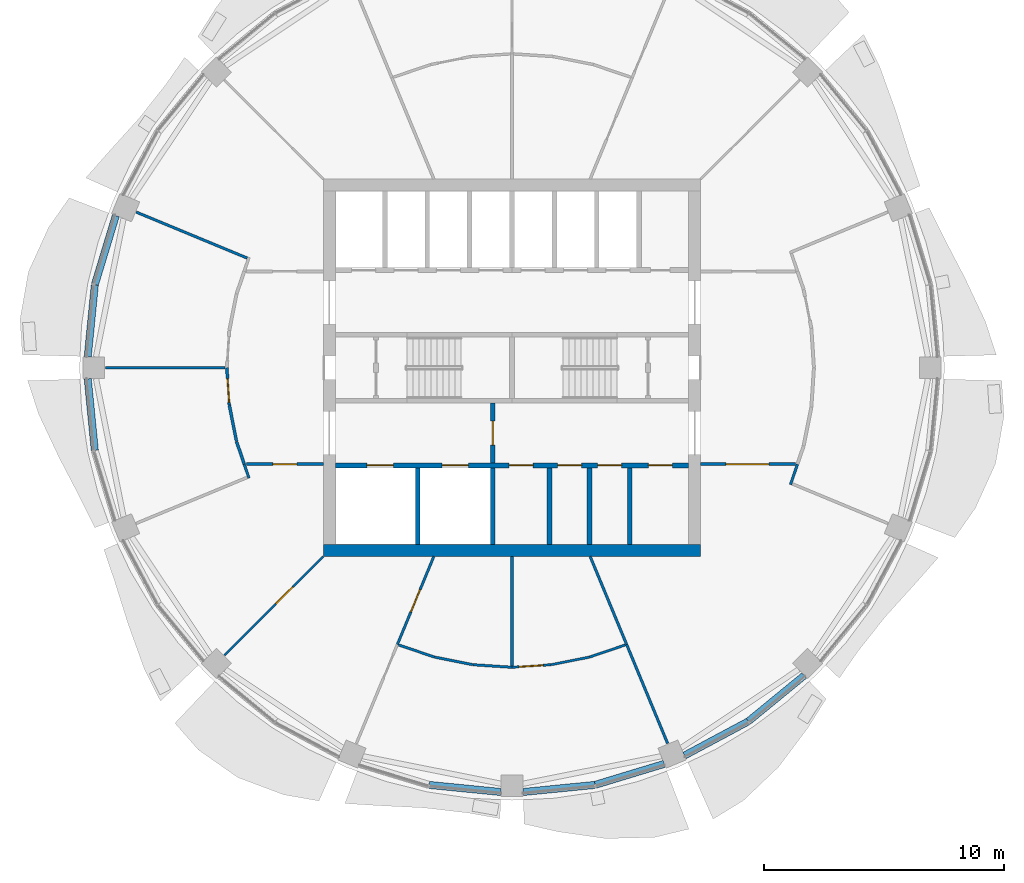
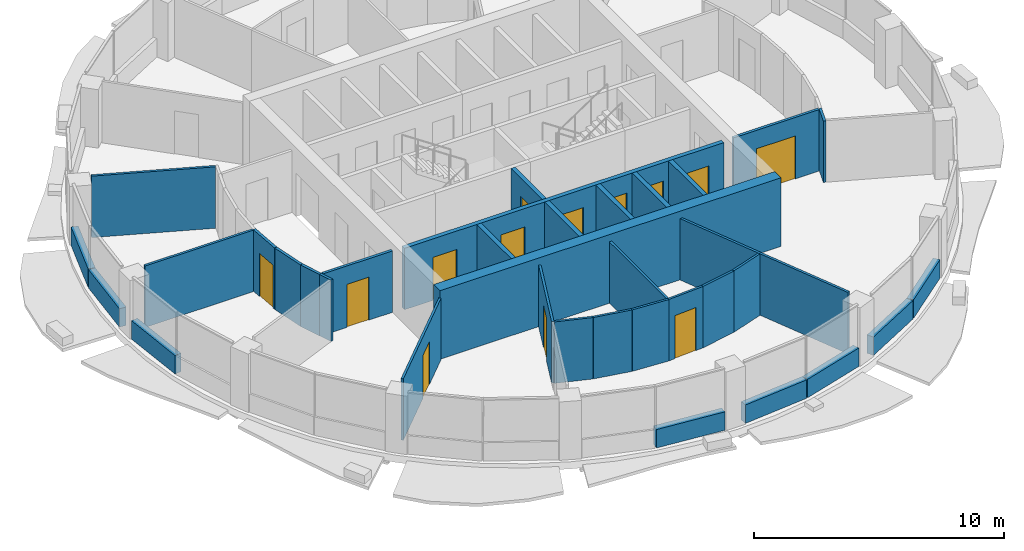
# One storey, part 8 of 15: 36 walls, 13 doors, 13 openings.
"""IFC4 building model written with IfcOpenShell, lengths in metres."""

from ifc_helpers import new_model, si_unit, direction, frame, frame_2d, origin, place, context, subcontext, project, spatial, rectangle, extrude, material, layer, layer_set, type_object, element, fill, save


model = new_model("IFC4")

# Units and contexts
model_context = context("Model", 3, precision=1e-05, world=origin(), true_north=direction((0.0, 1.0)))
body_context = subcontext(model_context, "Body", "Model", "MODEL_VIEW")
ifc_project = project(units=[si_unit("LENGTHUNIT", "METRE"), si_unit("AREAUNIT", "SQUARE_METRE"), si_unit("VOLUMEUNIT", "CUBIC_METRE"), si_unit("PLANEANGLEUNIT", "RADIAN"), si_unit("MASSUNIT", "GRAM", prefix="KILO")], contexts=[model_context])

# Site, building, storey
site_placement = place(None, origin())
site = spatial("IfcSite", under=ifc_project, at=site_placement, CompositionType="ELEMENT")
building_placement = place(site_placement, origin())
building = spatial("IfcBuilding", under=site, at=building_placement, Name="Polderwave Tower", CompositionType="ELEMENT")
storey_placement = place(building_placement, frame((0.0, 0.0, 191.0)))
storey = spatial("IfcBuildingStorey", under=building, at=storey_placement, Name="L51", CompositionType="ELEMENT", Elevation=191.0)

# Walls
ifc_material_1 = material(Name="Concrete C60/75", Category="concrete")
ifc_layer_1 = layer(ifc_material_1, 0.5)
ifc_layer_set_1 = layer_set([ifc_layer_1], Name="CORE WALL 500 C60/75")
wall_type_1 = type_object("IfcWallType", Name="CORE WALL 500 C60/75", PredefinedType="SHEAR", material=ifc_layer_set_1)
wall_1_placement = place(storey_placement, frame((-7.8740234375, -7.6240234375, 0.0), z_axis=(0.0, 0.0, 1.0), x_axis=(1.0, 0.0, 0.0)))
element("IfcWall", 1, at=wall_1_placement, inside=storey, type_object=wall_type_1, Name="ST-CORE-L51-S", PredefinedType="SHEAR", context=body_context, shape_type="SweptSolid", body=[
    extrude(rectangle(XDim=15.748046875, YDim=0.5, at=frame_2d((7.8740234375, 0.0))), origin(), (0.0, 0.0, 1.0), 3.35009765625),
])
ifc_material_2 = material(Name="Concrete C50/60 (board-marked)", Category="concrete")
ifc_layer_2 = layer(ifc_material_2, 0.300048828125)
ifc_layer_set_2 = layer_set([ifc_layer_2], Name="Concrete spandrel upstand C50/60")
wall_type_2 = type_object("IfcWallType", Name="Concrete spandrel upstand C50/60", PredefinedType="SOLIDWALL", material=ifc_layer_set_2)
wall_2_placement = place(storey_placement, frame((-16.533447265625, 6.3466796875, 0.0), z_axis=(0.0, 0.0, 1.0), x_axis=(-0.290490921835, -0.95687774785, 0.0)))
element("IfcWall", 2, at=wall_2_placement, inside=storey, type_object=wall_type_2, Name="Spandrel L51 8a", PredefinedType="SOLIDWALL", context=body_context, shape_type="SweptSolid", body=[
    extrude(rectangle(XDim=2.998779296875, YDim=0.300048828125, at=frame_2d((1.49951171875, 0.0))), origin(), (0.0, 0.0, 1.0), 0.89990234375),
])
for number, where, z_axis, x_axis, name in (
    (3, (-17.410400390625, 3.447998046875, 0.0), (0.0, 0.0, 1.0), (-0.098109030901, -0.995175671957, 0.0), "Spandrel L51 8b"),
    (4, (-17.70458984375, -0.4638671875, 0.0), (0.0, 0.0, 1.0), (0.098109030901, -0.995175671957, 0.0), "Spandrel L51 9a"),
    (5, (-3.447998046875, -17.410400390625, 0.0), (0.0, 0.0, 1.0), (0.995175671957, -0.098109030901, 0.0), "Spandrel L51 12b"),
    (6, (0.4638671875, -17.70458984375, 0.0), (0.0, 0.0, 1.0), (0.995175671957, 0.098109030901, 0.0), "Spandrel L51 13a"),
):
    element("IfcWall", number, at=place(storey_placement, frame(where, z_axis=z_axis, x_axis=x_axis)), inside=storey, type_object=wall_type_2, Name=name, PredefinedType="SOLIDWALL", context=body_context, shape_type="SweptSolid", body=[
        extrude(rectangle(XDim=2.99853515625, YDim=0.300048828125, at=frame_2d((1.499267578125, 0.0))), origin(), (0.0, 0.0, 1.0), 0.89990234375),
    ])
wall_3_placement = place(storey_placement, frame((3.477294921875, -17.404541015625, 0.0), z_axis=(0.0, 0.0, 1.0), x_axis=(0.95687774785, 0.290490921835, 0.0)))
element("IfcWall", 7, at=wall_3_placement, inside=storey, type_object=wall_type_2, Name="Spandrel L51 13b", PredefinedType="SOLIDWALL", context=body_context, shape_type="SweptSolid", body=[
    extrude(rectangle(XDim=2.998779296875, YDim=0.300048828125, at=frame_2d((1.49951171875, 0.0))), origin(), (0.0, 0.0, 1.0), 0.89990234375),
])
wall_4_placement = place(storey_placement, frame((7.2041015625, -16.178955078125, 0.0), z_axis=(0.0, 0.0, 1.0), x_axis=(0.881827169278, 0.471572734074, 0.0)))
element("IfcWall", 8, at=wall_4_placement, inside=storey, type_object=wall_type_2, Name="Spandrel L51 14a", PredefinedType="SOLIDWALL", context=body_context, shape_type="SweptSolid", body=[
    extrude(rectangle(XDim=2.998046875, YDim=0.300048828125, at=frame_2d((1.4990234375, 0.0))), origin(), (0.0, 0.0, 1.0), 0.89990234375),
])
wall_5_placement = place(storey_placement, frame((9.87255859375, -14.74853515625, 0.0), z_axis=(0.0, 0.0, 1.0), x_axis=(0.773162410012, 0.634208079217, 0.0)))
element("IfcWall", 9, at=wall_5_placement, inside=storey, type_object=wall_type_2, Name="Spandrel L51 14b", PredefinedType="SOLIDWALL", context=body_context, shape_type="SweptSolid", body=[
    extrude(rectangle(XDim=2.999267578125, YDim=0.300048828125, at=frame_2d((1.49951171875, 0.0))), origin(), (0.0, 0.0, 1.0), 0.89990234375),
])

# Wall, opening, door
ifc_material_3 = material(Name="Gypsum board partition")
ifc_layer_3 = layer(ifc_material_3, 0.199951171875)
ifc_layer_set_3 = layer_set([ifc_layer_3], Name="Core room partition 200")
wall_type_3 = type_object("IfcWallType", Name="Core room partition 200", PredefinedType="PARTITIONING", material=ifc_layer_set_3)
wall_6_placement = place(storey_placement, frame((-0.800048828125, -3.97412109375, 0.0), z_axis=(0.0, 0.0, 1.0), x_axis=(0.0, 1.0, 0.0)))
wall_6 = element("IfcWall", 10, at=wall_6_placement, inside=storey, type_object=wall_type_3, Name="L51 fire-fighting lobby wall", PredefinedType="PARTITIONING", context=body_context, shape_type="SweptSolid", body=[
    extrude(rectangle(XDim=2.4990234375, YDim=0.199951171875, at=frame_2d((1.24951171875, 0.0))), origin(), (0.0, 0.0, 1.0), 3.0),
])
opening_1_placement = place(wall_6_placement, frame((0.74951171875, 0.0, 0.0)))
opening_1 = element("IfcOpeningElement", 11, at=opening_1_placement, cuts=wall_6, Name="Opening L51-D14", PredefinedType="OPENING", context=body_context, shape_type="SweptSolid", body=[
    extrude(rectangle(XDim=1.0, YDim=2.10009765625, at=frame_2d((0.5, 1.050048828125))), frame((0.0, 0.10986328125, 0.0), z_axis=(0.0, -1.0, 0.0), x_axis=(1.0, 0.0, 0.0)), (0.0, 0.0, 1.0), 0.219970703125),
])
ifc_material_4 = material(Name="Steel fire door", Category="steel")
door_type_1 = type_object("IfcDoorType", Name="Lobby fire door 1000", OperationType="NOTDEFINED", PredefinedType="DOOR", material=ifc_material_4)
door_1_placement = place(opening_1_placement, frame((1.0, 0.0, 0.0), z_axis=(0.0, 0.0, 1.0), x_axis=(-1.0, 0.0, 0.0)))
door_1 = element("IfcDoor", 12, at=door_1_placement, inside=storey, type_object=door_type_1, Name="Fire-fighting lobby door", OperationType="SINGLE_SWING_LEFT", OverallHeight=2.10009765625, OverallWidth=1.0, PredefinedType="DOOR", context=body_context, shape_type="SweptSolid", body=[
    extrude(rectangle(XDim=1.0, YDim=2.10009765625, at=frame_2d((0.5, 1.050048828125))), frame((0.0, 0.02490234375, 0.0), z_axis=(0.0, -1.0, 0.0), x_axis=(1.0, 0.0, 0.0)), (0.0, 0.0, 1.0), 0.050048828125),
])
fill(opening_1, door_1)

# Walls
for number, where, z_axis, x_axis, name in (
    (13, (1.5634765625, -7.3740234375, 0.0), (0.0, 0.0, 1.0), (0.0, 1.0, 0.0), "L51 room partition S1"),
    (14, (3.23876953125, -7.3740234375, 0.0), (0.0, 0.0, 1.0), (0.0, 1.0, 0.0), "L51 room partition S2"),
    (15, (4.913818359375, -7.3740234375, 0.0), (0.0, 0.0, 1.0), (0.0, 1.0, 0.0), "L51 room partition S3"),
):
    element("IfcWall", number, at=place(storey_placement, frame(where, z_axis=z_axis, x_axis=x_axis)), inside=storey, type_object=wall_type_3, Name=name, PredefinedType="PARTITIONING", context=body_context, shape_type="SweptSolid", body=[
        extrude(rectangle(XDim=3.199951171875, YDim=0.199951171875, at=frame_2d((1.60009765625, 0.0))), origin(), (0.0, 0.0, 1.0), 3.0),
    ])

# Wall, openings, doors
ifc_material_5 = material(Name="Concrete C50/60", Category="concrete")
ifc_layer_4 = layer(ifc_material_5, 0.199951171875)
ifc_layer_set_4 = layer_set([ifc_layer_4], Name="Core web wall 200")
wall_type_4 = type_object("IfcWallType", Name="Core web wall 200", PredefinedType="SHEAR", material=ifc_layer_set_4)
wall_7_placement = place(storey_placement, frame((-7.3740234375, -4.073974609375, 0.0), z_axis=(0.0, 0.0, 1.0), x_axis=(1.0, 0.0, 0.0)))
wall_7 = element("IfcWall", 16, at=wall_7_placement, inside=storey, type_object=wall_type_4, Name="L51 south front wall", PredefinedType="SHEAR", context=body_context, shape_type="SweptSolid", body=[
    extrude(rectangle(XDim=14.748046875, YDim=0.199951171875, at=frame_2d((7.3740234375, 0.0))), origin(), (0.0, 0.0, 1.0), 3.0),
])
opening_2_placement = place(wall_7_placement, frame((1.318603515625, 0.0, 0.0)))
opening_2 = element("IfcOpeningElement", 17, at=opening_2_placement, cuts=wall_7, Name="Opening L51-D01", PredefinedType="OPENING", context=body_context, shape_type="SweptSolid", body=[
    extrude(rectangle(XDim=1.10009765625, YDim=2.10009765625, at=frame_2d((0.550048828125, 1.050048828125))), frame((0.0, 0.10986328125, 0.0), z_axis=(0.0, -1.0, 0.0), x_axis=(1.0, 0.0, 0.0)), (0.0, 0.0, 1.0), 0.219970703125),
])
opening_3_placement = place(wall_7_placement, frame((4.45556640625, 0.0, 0.0)))
opening_3 = element("IfcOpeningElement", 18, at=opening_3_placement, cuts=wall_7, Name="Opening L51-D02", PredefinedType="OPENING", context=body_context, shape_type="SweptSolid", body=[
    extrude(rectangle(XDim=1.10009765625, YDim=2.10009765625, at=frame_2d((0.550048828125, 1.050048828125))), frame((0.0, 0.10986328125, 0.0), z_axis=(0.0, -1.0, 0.0), x_axis=(1.0, 0.0, 0.0)), (0.0, 0.0, 1.0), 0.219970703125),
])
opening_4_placement = place(wall_7_placement, frame((7.255859375, 0.0, 0.0)))
opening_4 = element("IfcOpeningElement", 19, at=opening_4_placement, cuts=wall_7, Name="Opening L51-D15", PredefinedType="OPENING", context=body_context, shape_type="SweptSolid", body=[
    extrude(rectangle(XDim=1.0, YDim=2.10009765625, at=frame_2d((0.5, 1.050048828125))), frame((0.0, 0.10986328125, 0.0), z_axis=(0.0, -1.0, 0.0), x_axis=(1.0, 0.0, 0.0)), (0.0, 0.0, 1.0), 0.219970703125),
])
opening_5_placement = place(wall_7_placement, frame((9.275146484375, 0.0, 0.0)))
opening_5 = element("IfcOpeningElement", 20, at=opening_5_placement, cuts=wall_7, Name="Opening L51-D16", PredefinedType="OPENING", context=body_context, shape_type="SweptSolid", body=[
    extrude(rectangle(XDim=1.0, YDim=2.10009765625, at=frame_2d((0.5, 1.050048828125))), frame((0.0, 0.10986328125, 0.0), z_axis=(0.0, -1.0, 0.0), x_axis=(1.0, 0.0, 0.0)), (0.0, 0.0, 1.0), 0.219970703125),
])
opening_6_placement = place(wall_7_placement, frame((10.9501953125, 0.0, 0.0)))
opening_6 = element("IfcOpeningElement", 21, at=opening_6_placement, cuts=wall_7, Name="Opening L51-D17", PredefinedType="OPENING", context=body_context, shape_type="SweptSolid", body=[
    extrude(rectangle(XDim=1.0, YDim=2.10009765625, at=frame_2d((0.5, 1.050048828125))), frame((0.0, 0.10986328125, 0.0), z_axis=(0.0, -1.0, 0.0), x_axis=(1.0, 0.0, 0.0)), (0.0, 0.0, 1.0), 0.219970703125),
])
opening_7_placement = place(wall_7_placement, frame((13.06787109375, 0.0, 0.0)))
opening_7 = element("IfcOpeningElement", 22, at=opening_7_placement, cuts=wall_7, Name="Opening L51-D18", PredefinedType="OPENING", context=body_context, shape_type="SweptSolid", body=[
    extrude(rectangle(XDim=1.0, YDim=2.10009765625, at=frame_2d((0.5, 1.050048828125))), frame((0.0, 0.10986328125, 0.0), z_axis=(0.0, -1.0, 0.0), x_axis=(1.0, 0.0, 0.0)), (0.0, 0.0, 1.0), 0.219970703125),
])
ifc_material_6 = material(Name="Timber door leaf", Category="wood")
door_type_2 = type_object("IfcDoorType", Name="Accessible WC door 1000", OperationType="NOTDEFINED", PredefinedType="DOOR", material=ifc_material_6)
door_2_placement = place(opening_4_placement, frame((1.0, 0.0, 0.0), z_axis=(0.0, 0.0, 1.0), x_axis=(-1.0, 0.0, 0.0)))
door_2 = element("IfcDoor", 23, at=door_2_placement, inside=storey, type_object=door_type_2, Name="Accessible WC door", OperationType="SINGLE_SWING_LEFT", OverallHeight=2.10009765625, OverallWidth=1.0, PredefinedType="DOOR", context=body_context, shape_type="SweptSolid", body=[
    extrude(rectangle(XDim=1.0, YDim=2.10009765625, at=frame_2d((0.5, 1.050048828125))), frame((0.0, 0.02490234375, 0.0), z_axis=(0.0, -1.0, 0.0), x_axis=(1.0, 0.0, 0.0)), (0.0, 0.0, 1.0), 0.050048828125),
])
fill(opening_4, door_2)
ifc_material_7 = material(Name="Stainless steel", Category="steel")
door_type_3 = type_object("IfcDoorType", Name="Fire-fighting lift landing door 1100", OperationType="DOUBLE_DOOR_SLIDING", PredefinedType="DOOR", material=ifc_material_7)
door_3_placement = place(opening_2_placement, origin())
door_3 = element("IfcDoor", 24, at=door_3_placement, inside=storey, type_object=door_type_3, Name="Fire-fighting lift FF1 landing door", OperationType="DOUBLE_DOOR_SLIDING", OverallHeight=2.10009765625, OverallWidth=1.10009765625, PredefinedType="DOOR", context=body_context, shape_type="SweptSolid", body=[
    extrude(rectangle(XDim=1.10009765625, YDim=2.10009765625, at=frame_2d((0.550048828125, 1.050048828125))), frame((0.0, 0.02490234375, 0.0), z_axis=(0.0, -1.0, 0.0), x_axis=(1.0, 0.0, 0.0)), (0.0, 0.0, 1.0), 0.050048828125),
])
fill(opening_2, door_3)
door_4_placement = place(opening_3_placement, origin())
door_4 = element("IfcDoor", 25, at=door_4_placement, inside=storey, type_object=door_type_3, Name="Fire-fighting lift FF2 landing door", OperationType="DOUBLE_DOOR_SLIDING", OverallHeight=2.10009765625, OverallWidth=1.10009765625, PredefinedType="DOOR", context=body_context, shape_type="SweptSolid", body=[
    extrude(rectangle(XDim=1.10009765625, YDim=2.10009765625, at=frame_2d((0.550048828125, 1.050048828125))), frame((0.0, 0.02490234375, 0.0), z_axis=(0.0, -1.0, 0.0), x_axis=(1.0, 0.0, 0.0)), (0.0, 0.0, 1.0), 0.050048828125),
])
fill(opening_3, door_4)
door_type_4 = type_object("IfcDoorType", Name="Room door 1000", OperationType="NOTDEFINED", PredefinedType="DOOR", material=ifc_material_6)
door_5_placement = place(opening_5_placement, frame((1.0, 0.0, 0.0), z_axis=(0.0, 0.0, 1.0), x_axis=(-1.0, 0.0, 0.0)))
door_5 = element("IfcDoor", 26, at=door_5_placement, inside=storey, type_object=door_type_4, Name="Staff WC door", OperationType="SINGLE_SWING_LEFT", OverallHeight=2.10009765625, OverallWidth=1.0, PredefinedType="DOOR", context=body_context, shape_type="SweptSolid", body=[
    extrude(rectangle(XDim=1.0, YDim=2.10009765625, at=frame_2d((0.5, 1.050048828125))), frame((0.0, 0.02490234375, 0.0), z_axis=(0.0, -1.0, 0.0), x_axis=(1.0, 0.0, 0.0)), (0.0, 0.0, 1.0), 0.050048828125),
])
fill(opening_5, door_5)
door_6_placement = place(opening_6_placement, frame((1.0, 0.0, 0.0), z_axis=(0.0, 0.0, 1.0), x_axis=(-1.0, 0.0, 0.0)))
door_6 = element("IfcDoor", 27, at=door_6_placement, inside=storey, type_object=door_type_4, Name="Cleaner's store door", OperationType="SINGLE_SWING_LEFT", OverallHeight=2.10009765625, OverallWidth=1.0, PredefinedType="DOOR", context=body_context, shape_type="SweptSolid", body=[
    extrude(rectangle(XDim=1.0, YDim=2.10009765625, at=frame_2d((0.5, 1.050048828125))), frame((0.0, 0.02490234375, 0.0), z_axis=(0.0, -1.0, 0.0), x_axis=(1.0, 0.0, 0.0)), (0.0, 0.0, 1.0), 0.050048828125),
])
fill(opening_6, door_6)
door_7_placement = place(opening_7_placement, frame((1.0, 0.0, 0.0), z_axis=(0.0, 0.0, 1.0), x_axis=(-1.0, 0.0, 0.0)))
door_7 = element("IfcDoor", 28, at=door_7_placement, inside=storey, type_object=door_type_4, Name="IT room door", OperationType="SINGLE_SWING_LEFT", OverallHeight=2.10009765625, OverallWidth=1.0, PredefinedType="DOOR", context=body_context, shape_type="SweptSolid", body=[
    extrude(rectangle(XDim=1.0, YDim=2.10009765625, at=frame_2d((0.5, 1.050048828125))), frame((0.0, 0.02490234375, 0.0), z_axis=(0.0, -1.0, 0.0), x_axis=(1.0, 0.0, 0.0)), (0.0, 0.0, 1.0), 0.050048828125),
])
fill(opening_7, door_7)

# Wall, opening, door
ifc_material_8 = material(Name="Fire-resisting board on steel studs", Category="steel")
ifc_layer_5 = layer(ifc_material_8, 0.125)
ifc_layer_set_5 = layer_set([ifc_layer_5], Name="Corridor wall 125 mm EI 60")
wall_type_5 = type_object("IfcWallType", Name="Corridor wall 125 mm EI 60", PredefinedType="PARTITIONING", material=ifc_layer_set_5)
wall_8_placement = place(storey_placement, frame((11.82421875, -4.0244140625, 0.0), z_axis=(0.0, 0.0, 1.0), x_axis=(-1.0, 0.0, 0.0)))
wall_8 = element("IfcWall", 29, at=wall_8_placement, inside=storey, type_object=wall_type_5, Name="IN-L51-W008", PredefinedType="PARTITIONING", context=body_context, shape_type="SweptSolid", body=[
    extrude(rectangle(XDim=3.9501953125, YDim=0.125, at=frame_2d((1.97509765625, 0.0))), origin(), (0.0, 0.0, 1.0), 3.0),
])
opening_8_placement = place(wall_8_placement, frame((1.10009765625, 0.0, 0.0)))
opening_8 = element("IfcOpeningElement", 30, at=opening_8_placement, cuts=wall_8, Name="Opening L51-D52", PredefinedType="OPENING", context=body_context, shape_type="SweptSolid", body=[
    extrude(rectangle(XDim=1.800048828125, YDim=2.10009765625, at=frame_2d((0.89990234375, 1.050048828125))), frame((0.0, 0.072509765625, 0.0), z_axis=(0.0, -1.0, 0.0), x_axis=(1.0, 0.0, 0.0)), (0.0, 0.0, 1.0), 0.14501953125),
])
ifc_material_9 = material(Name="Timber fire door leaves", Category="wood")
door_type_5 = type_object("IfcDoorType", Name="Double fire door FD30S 1800 x 2100", OperationType="NOTDEFINED", PredefinedType="DOOR", material=ifc_material_9)
door_8_placement = place(opening_8_placement, origin())
door_8 = element("IfcDoor", 31, at=door_8_placement, inside=storey, type_object=door_type_5, Name="Door L51-D52", OperationType="DOUBLE_DOOR_SINGLE_SWING", OverallHeight=2.10009765625, OverallWidth=1.800048828125, PredefinedType="DOOR", context=body_context, shape_type="SweptSolid", body=[
    extrude(rectangle(XDim=1.800048828125, YDim=2.10009765625, at=frame_2d((0.89990234375, 1.050048828125))), frame((0.0, 0.02490234375, 0.0), z_axis=(0.0, -1.0, 0.0), x_axis=(1.0, 0.0, 0.0)), (0.0, 0.0, 1.0), 0.050048828125),
])
fill(opening_8, door_8)

wall_9_placement = place(storey_placement, frame((-11.798583984375, -1.54931640625, 0.0), z_axis=(0.0, 0.0, 1.0), x_axis=(-0.065256137235, 0.99786854673, 0.0)))
wall_9 = element("IfcWall", 32, at=wall_9_placement, inside=storey, type_object=wall_type_5, Name="IN-L51-W013", PredefinedType="PARTITIONING", context=body_context, shape_type="SweptSolid", body=[
    extrude(rectangle(XDim=1.552734375, YDim=0.125, at=frame_2d((0.7763671875, 0.0))), origin(), (0.0, 0.0, 1.0), 3.0),
])
opening_9_placement = place(wall_9_placement, frame((0.10009765625, 0.0, 0.0)))
opening_9 = element("IfcOpeningElement", 33, at=opening_9_placement, cuts=wall_9, Name="Opening L51-D55", PredefinedType="OPENING", context=body_context, shape_type="SweptSolid", body=[
    extrude(rectangle(XDim=1.0, YDim=2.10009765625, at=frame_2d((0.5, 1.050048828125))), frame((0.0, 0.072509765625, 0.0), z_axis=(0.0, -1.0, 0.0), x_axis=(1.0, 0.0, 0.0)), (0.0, 0.0, 1.0), 0.14501953125),
])
ifc_material_10 = material(Name="Timber fire door leaf", Category="wood")
door_type_6 = type_object("IfcDoorType", Name="Fire door FD30S 1000 x 2100", OperationType="NOTDEFINED", PredefinedType="DOOR", material=ifc_material_10)
door_9_placement = place(opening_9_placement, origin())
door_9 = element("IfcDoor", 34, at=door_9_placement, inside=storey, type_object=door_type_6, Name="Door L51-D55", OperationType="SINGLE_SWING_LEFT", OverallHeight=2.10009765625, OverallWidth=1.0, PredefinedType="DOOR", context=body_context, shape_type="SweptSolid", body=[
    extrude(rectangle(XDim=1.0, YDim=2.10009765625, at=frame_2d((0.5, 1.050048828125))), frame((0.0, 0.02490234375, 0.0), z_axis=(0.0, -1.0, 0.0), x_axis=(1.0, 0.0, 0.0)), (0.0, 0.0, 1.0), 0.050048828125),
])
fill(opening_9, door_9)

# Walls
wall_10_placement = place(storey_placement, frame((-11.495361328125, -3.075927734375, 0.0), z_axis=(0.0, 0.0, 1.0), x_axis=(-0.195054687935, 0.98079236779, 0.0)))
element("IfcWall", 35, at=wall_10_placement, inside=storey, type_object=wall_type_5, Name="IN-L51-W014", PredefinedType="PARTITIONING", context=body_context, shape_type="SweptSolid", body=[
    extrude(rectangle(XDim=1.54833984375, YDim=0.125, at=frame_2d((0.774169921875, 0.0))), origin(), (0.0, 0.0, 1.0), 3.0),
])
wall_11_placement = place(storey_placement, frame((-11.173828125, -4.0244140625, 0.0), z_axis=(0.0, 0.0, 1.0), x_axis=(-0.321457698768, 0.946923939872, 0.0)))
element("IfcWall", 36, at=wall_11_placement, inside=storey, type_object=wall_type_5, Name="IN-L51-W015", PredefinedType="PARTITIONING", context=body_context, shape_type="SweptSolid", body=[
    extrude(rectangle(XDim=0.993408203125, YDim=0.125, at=frame_2d((0.49658203125, 0.0))), origin(), (0.0, 0.0, 1.0), 3.0),
])

# Wall, opening, door
wall_12_placement = place(storey_placement, frame((-7.8740234375, -4.0244140625, 0.0), z_axis=(0.0, 0.0, 1.0), x_axis=(-1.0, 0.0, 0.0)))
wall_12 = element("IfcWall", 37, at=wall_12_placement, inside=storey, type_object=wall_type_5, Name="IN-L51-W016", PredefinedType="PARTITIONING", context=body_context, shape_type="SweptSolid", body=[
    extrude(rectangle(XDim=3.212646484375, YDim=0.125, at=frame_2d((1.6064453125, 0.0))), origin(), (0.0, 0.0, 1.0), 3.0),
])
opening_10_placement = place(wall_12_placement, frame((1.10009765625, 0.0, 0.0)))
opening_10 = element("IfcOpeningElement", 38, at=opening_10_placement, cuts=wall_12, Name="Opening L51-D56", PredefinedType="OPENING", context=body_context, shape_type="SweptSolid", body=[
    extrude(rectangle(XDim=1.0, YDim=2.10009765625, at=frame_2d((0.5, 1.050048828125))), frame((0.0, 0.072509765625, 0.0), z_axis=(0.0, -1.0, 0.0), x_axis=(1.0, 0.0, 0.0)), (0.0, 0.0, 1.0), 0.14501953125),
])
door_10_placement = place(opening_10_placement, origin())
door_10 = element("IfcDoor", 39, at=door_10_placement, inside=storey, type_object=door_type_6, Name="Door L51-D56", OperationType="SINGLE_SWING_LEFT", OverallHeight=2.10009765625, OverallWidth=1.0, PredefinedType="DOOR", context=body_context, shape_type="SweptSolid", body=[
    extrude(rectangle(XDim=1.0, YDim=2.10009765625, at=frame_2d((0.5, 1.050048828125))), frame((0.0, 0.02490234375, 0.0), z_axis=(0.0, -1.0, 0.0), x_axis=(1.0, 0.0, 0.0)), (0.0, 0.0, 1.0), 0.050048828125),
])
fill(opening_10, door_10)

ifc_material_11 = material(Name="Plasterboard on steel studs", Category="steel")
ifc_layer_6 = layer(ifc_material_11, 0.10009765625)
ifc_layer_set_6 = layer_set([ifc_layer_6], Name="Partition 100 mm plasterboard on steel studs")
wall_type_6 = type_object("IfcWallType", Name="Partition 100 mm plasterboard on steel studs", PredefinedType="PARTITIONING", material=ifc_layer_set_6)
wall_13_placement = place(storey_placement, frame((-7.8740234375, -7.8740234375, 0.0), z_axis=(0.0, 0.0, 1.0), x_axis=(-0.707106781187, -0.707106781187, 0.0)))
wall_13 = element("IfcWall", 40, at=wall_13_placement, inside=storey, type_object=wall_type_6, Name="IN-L51-W040", PredefinedType="PARTITIONING", context=body_context, shape_type="SweptSolid", body=[
    extrude(rectangle(XDim=5.834228515625, YDim=0.10009765625, at=frame_2d((2.9169921875, 0.0))), origin(), (0.0, 0.0, 1.0), 3.0),
])
opening_11_placement = place(wall_13_placement, frame((1.800048828125, 0.0, 0.0)))
opening_11 = element("IfcOpeningElement", 41, at=opening_11_placement, cuts=wall_13, Name="Opening L51-D63", PredefinedType="OPENING", context=body_context, shape_type="SweptSolid", body=[
    extrude(rectangle(XDim=1.0, YDim=2.10009765625, at=frame_2d((0.5, 1.050048828125))), frame((0.0, 0.06005859375, 0.0), z_axis=(0.0, -1.0, 0.0), x_axis=(1.0, 0.0, 0.0)), (0.0, 0.0, 1.0), 0.1201171875),
])
ifc_material_12 = material(Name="Timber veneer door leaf", Category="wood")
door_type_7 = type_object("IfcDoorType", Name="Single door 1000 x 2100", OperationType="NOTDEFINED", PredefinedType="DOOR", material=ifc_material_12)
door_11_placement = place(opening_11_placement, origin())
door_11 = element("IfcDoor", 42, at=door_11_placement, inside=storey, type_object=door_type_7, Name="Door L51-D63", OperationType="SINGLE_SWING_LEFT", OverallHeight=2.10009765625, OverallWidth=1.0, PredefinedType="DOOR", context=body_context, shape_type="SweptSolid", body=[
    extrude(rectangle(XDim=1.0, YDim=2.10009765625, at=frame_2d((0.5, 1.050048828125))), frame((0.0, 0.02490234375, 0.0), z_axis=(0.0, -1.0, 0.0), x_axis=(1.0, 0.0, 0.0)), (0.0, 0.0, 1.0), 0.050048828125),
])
fill(opening_11, door_11)

wall_14_placement = place(storey_placement, frame((0.0, -12.5, 0.0), z_axis=(0.0, 0.0, 1.0), x_axis=(0.997860630529, 0.065377075793, 0.0)))
wall_14 = element("IfcWall", 43, at=wall_14_placement, inside=storey, type_object=wall_type_6, Name="IN-L51-W047", PredefinedType="PARTITIONING", context=body_context, shape_type="SweptSolid", body=[
    extrude(rectangle(XDim=1.6318359375, YDim=0.10009765625, at=frame_2d((0.81591796875, 0.0))), origin(), (0.0, 0.0, 1.0), 3.0),
])
opening_12_placement = place(wall_14_placement, frame((0.300048828125, 0.0, 0.0)))
opening_12 = element("IfcOpeningElement", 44, at=opening_12_placement, cuts=wall_14, Name="Opening L51-D66", PredefinedType="OPENING", context=body_context, shape_type="SweptSolid", body=[
    extrude(rectangle(XDim=1.0, YDim=2.10009765625, at=frame_2d((0.5, 1.050048828125))), frame((0.0, 0.06005859375, 0.0), z_axis=(0.0, -1.0, 0.0), x_axis=(1.0, 0.0, 0.0)), (0.0, 0.0, 1.0), 0.1201171875),
])
door_12_placement = place(opening_12_placement, origin())
door_12 = element("IfcDoor", 45, at=door_12_placement, inside=storey, type_object=door_type_7, Name="Door L51-D66", OperationType="SINGLE_SWING_LEFT", OverallHeight=2.10009765625, OverallWidth=1.0, PredefinedType="DOOR", context=body_context, shape_type="SweptSolid", body=[
    extrude(rectangle(XDim=1.0, YDim=2.10009765625, at=frame_2d((0.5, 1.050048828125))), frame((0.0, 0.02490234375, 0.0), z_axis=(0.0, -1.0, 0.0), x_axis=(1.0, 0.0, 0.0)), (0.0, 0.0, 1.0), 0.050048828125),
])
fill(opening_12, door_12)

# Walls
wall_15_placement = place(storey_placement, frame((1.634765625, -12.392578125, 0.0), z_axis=(0.0, 0.0, 1.0), x_axis=(0.980764756379, 0.195193474902, 0.0)))
element("IfcWall", 46, at=wall_15_placement, inside=storey, type_object=wall_type_6, Name="IN-L51-W048", PredefinedType="PARTITIONING", context=body_context, shape_type="SweptSolid", body=[
    extrude(rectangle(XDim=1.62841796875, YDim=0.10009765625, at=frame_2d((0.814208984375, 0.0))), origin(), (0.0, 0.0, 1.0), 3.0),
])
wall_16_placement = place(storey_placement, frame((3.23828125, -12.072998046875, 0.0), z_axis=(0.0, 0.0, 1.0), x_axis=(0.946962681405, 0.321343554512, 0.0)))
element("IfcWall", 47, at=wall_16_placement, inside=storey, type_object=wall_type_6, Name="IN-L51-W049", PredefinedType="PARTITIONING", context=body_context, shape_type="SweptSolid", body=[
    extrude(rectangle(XDim=1.573486328125, YDim=0.10009765625, at=frame_2d((0.78662109375, 0.0))), origin(), (0.0, 0.0, 1.0), 3.0),
])

# Wall, opening, door
ifc_material_13 = material(Name="Moisture-resistant board on steel studs, tiled", Category="steel")
ifc_layer_7 = layer(ifc_material_13, 0.10498046875)
ifc_layer_set_7 = layer_set([ifc_layer_7], Name="Partition 105 mm wet room board and tile")
wall_type_7 = type_object("IfcWallType", Name="Partition 105 mm wet room board and tile", PredefinedType="PARTITIONING", material=ifc_layer_set_7)
wall_17_placement = place(storey_placement, frame((-3.261474609375, -7.8740234375, 0.0), z_axis=(0.0, 0.0, 1.0), x_axis=(-0.382666229821, -0.923886657851, 0.0)))
wall_17 = element("IfcWall", 48, at=wall_17_placement, inside=storey, type_object=wall_type_7, Name="IN-L51-W041", PredefinedType="PARTITIONING", context=body_context, shape_type="SweptSolid", body=[
    extrude(rectangle(XDim=3.977294921875, YDim=0.10498046875, at=frame_2d((1.98876953125, 0.0))), origin(), (0.0, 0.0, 1.0), 3.0),
])
opening_13_placement = place(wall_17_placement, frame((1.5, 0.0, 0.0)))
opening_13 = element("IfcOpeningElement", 49, at=opening_13_placement, cuts=wall_17, Name="Opening L51-D64", PredefinedType="OPENING", context=body_context, shape_type="SweptSolid", body=[
    extrude(rectangle(XDim=1.0, YDim=2.10009765625, at=frame_2d((0.5, 1.050048828125))), frame((0.0, 0.0625, 0.0), z_axis=(0.0, -1.0, 0.0), x_axis=(1.0, 0.0, 0.0)), (0.0, 0.0, 1.0), 0.125),
])
door_13_placement = place(opening_13_placement, origin())
door_13 = element("IfcDoor", 50, at=door_13_placement, inside=storey, type_object=door_type_7, Name="Door L51-D64", OperationType="SINGLE_SWING_RIGHT", OverallHeight=2.10009765625, OverallWidth=1.0, PredefinedType="DOOR", context=body_context, shape_type="SweptSolid", body=[
    extrude(rectangle(XDim=1.0, YDim=2.10009765625, at=frame_2d((0.5, 1.050048828125))), frame((0.0, 0.02490234375, 0.0), z_axis=(0.0, -1.0, 0.0), x_axis=(1.0, 0.0, 0.0)), (0.0, 0.0, 1.0), 0.050048828125),
])
fill(opening_13, door_13)

# Walls
wall_18_placement = place(storey_placement, frame((-3.238525390625, -12.072998046875, 0.0), z_axis=(0.0, 0.0, 1.0), x_axis=(-0.946902062217, 0.321522136982, 0.0)))
element("IfcWall", 51, at=wall_18_placement, inside=storey, type_object=wall_type_7, Name="IN-L51-W043", PredefinedType="PARTITIONING", context=body_context, shape_type="SweptSolid", body=[
    extrude(rectangle(XDim=1.57568359375, YDim=0.10498046875, at=frame_2d((0.787841796875, 0.0))), origin(), (0.0, 0.0, 1.0), 3.0),
])
wall_19_placement = place(storey_placement, frame((-1.635009765625, -12.392333984375, 0.0), z_axis=(0.0, 0.0, 1.0), x_axis=(-0.980782034379, 0.195106640172, 0.0)))
element("IfcWall", 52, at=wall_19_placement, inside=storey, type_object=wall_type_7, Name="IN-L51-W044", PredefinedType="PARTITIONING", context=body_context, shape_type="SweptSolid", body=[
    extrude(rectangle(XDim=1.6279296875, YDim=0.10498046875, at=frame_2d((0.81396484375, 0.0))), origin(), (0.0, 0.0, 1.0), 3.0),
])
wall_20_placement = place(storey_placement, frame((0.0, -12.5, 0.0), z_axis=(0.0, 0.0, 1.0), x_axis=(-0.997859990953, 0.065386837014, 0.0)))
element("IfcWall", 53, at=wall_20_placement, inside=storey, type_object=wall_type_7, Name="IN-L51-W045", PredefinedType="PARTITIONING", context=body_context, shape_type="SweptSolid", body=[
    extrude(rectangle(XDim=1.631591796875, YDim=0.10498046875, at=frame_2d((0.81591796875, 0.0))), origin(), (0.0, 0.0, 1.0), 3.0),
])
wall_21_placement = place(storey_placement, frame((0.0, -7.8740234375, 0.0), z_axis=(0.0, 0.0, 1.0), x_axis=(0.0, -1.0, 0.0)))
element("IfcWall", 54, at=wall_21_placement, inside=storey, type_object=wall_type_7, Name="IN-L51-W046", PredefinedType="PARTITIONING", context=body_context, shape_type="SweptSolid", body=[
    extrude(rectangle(XDim=4.56982421875, YDim=0.10498046875, at=frame_2d((2.284912109375, 0.0))), origin(), (0.0, 0.0, 1.0), 3.0),
])
ifc_material_14 = material(Name="Acoustic double plasterboard on steel studs", Category="steel")
ifc_layer_8 = layer(ifc_material_14, 0.110107421875)
ifc_layer_set_8 = layer_set([ifc_layer_8], Name="Partition 110 mm acoustic double board")
wall_type_8 = type_object("IfcWallType", Name="Partition 110 mm acoustic double board", PredefinedType="PARTITIONING", material=ifc_layer_set_8)
wall_22_placement = place(storey_placement, frame((11.623291015625, -4.873779296875, 0.0), z_axis=(0.0, 0.0, 1.0), x_axis=(0.321448894187, 0.946926928768, 0.0)))
element("IfcWall", 55, at=wall_22_placement, inside=storey, type_object=wall_type_8, Name="IN-L51-W019", PredefinedType="PARTITIONING", context=body_context, shape_type="SweptSolid", body=[
    extrude(rectangle(XDim=0.89697265625, YDim=0.110107421875, at=frame_2d((0.448486328125, 0.0))), origin(), (0.0, 0.0, 1.0), 3.0),
])
wall_23_placement = place(storey_placement, frame((-11.048583984375, 4.576416015625, 0.0), z_axis=(0.0, 0.0, 1.0), x_axis=(-0.923874912391, 0.382694586132, 0.0)))
element("IfcWall", 56, at=wall_23_placement, inside=storey, type_object=wall_type_8, Name="IN-L51-W036", PredefinedType="PARTITIONING", context=body_context, shape_type="SweptSolid", body=[
    extrude(rectangle(XDim=5.01123046875, YDim=0.110107421875, at=frame_2d((2.505615234375, 0.0))), origin(), (0.0, 0.0, 1.0), 3.0),
])
wall_24_placement = place(storey_placement, frame((-11.96630859375, 0.0, 0.0), z_axis=(0.0, 0.0, 1.0), x_axis=(-1.0, 0.0, 0.0)))
element("IfcWall", 57, at=wall_24_placement, inside=storey, type_object=wall_type_8, Name="IN-L51-W037", PredefinedType="PARTITIONING", context=body_context, shape_type="SweptSolid", body=[
    extrude(rectangle(XDim=5.003662109375, YDim=0.110107421875, at=frame_2d((2.501953125, 0.0))), origin(), (0.0, 0.0, 1.0), 3.0),
])
wall_25_placement = place(storey_placement, frame((-11.173828125, -4.0244140625, 0.0), z_axis=(0.0, 0.0, 1.0), x_axis=(0.321232679022, -0.947000298801, 0.0)))
element("IfcWall", 58, at=wall_25_placement, inside=storey, type_object=wall_type_8, Name="IN-L51-W038", PredefinedType="PARTITIONING", context=body_context, shape_type="SweptSolid", body=[
    extrude(rectangle(XDim=0.614013671875, YDim=0.110107421875, at=frame_2d((0.30712890625, 0.0))), origin(), (0.0, 0.0, 1.0), 3.0),
])
wall_26_placement = place(storey_placement, frame((4.783447265625, -11.548583984375, 0.0), z_axis=(0.0, 0.0, 1.0), x_axis=(0.382710359347, -0.92386837853, 0.0)))
element("IfcWall", 59, at=wall_26_placement, inside=storey, type_object=wall_type_8, Name="IN-L51-W050", PredefinedType="PARTITIONING", context=body_context, shape_type="SweptSolid", body=[
    extrude(rectangle(XDim=4.469970703125, YDim=0.110107421875, at=frame_2d((2.23486328125, 0.0))), origin(), (0.0, 0.0, 1.0), 3.0),
])
wall_27_placement = place(storey_placement, frame((3.261474609375, -7.8740234375, 0.0), z_axis=(0.0, 0.0, 1.0), x_axis=(0.382666229821, -0.923886657851, 0.0)))
element("IfcWall", 60, at=wall_27_placement, inside=storey, type_object=wall_type_8, Name="IN-L51-W051", PredefinedType="PARTITIONING", context=body_context, shape_type="SweptSolid", body=[
    extrude(rectangle(XDim=3.977294921875, YDim=0.110107421875, at=frame_2d((1.98876953125, 0.0))), origin(), (0.0, 0.0, 1.0), 3.0),
])
ifc_material_15 = material(Name="Gypsum shaft wall system")
ifc_layer_9 = layer(ifc_material_15, 0.199951171875)
ifc_layer_set_9 = layer_set([ifc_layer_9], Name="Shaft wall 200")
wall_type_9 = type_object("IfcWallType", Name="Shaft wall 200", PredefinedType="PARTITIONING", material=ifc_layer_set_9)
for number, where, z_axis, x_axis, name in (
    (61, (-3.93701171875, -7.3740234375, 0.0), (0.0, 0.0, 1.0), (0.0, 1.0, 0.0), "L51 fire-fighting shaft wall 1"),
    (62, (-0.800048828125, -7.3740234375, 0.0), (0.0, 0.0, 1.0), (0.0, 1.0, 0.0), "L51 fire-fighting shaft wall 2"),
):
    element("IfcWall", number, at=place(storey_placement, frame(where, z_axis=z_axis, x_axis=x_axis)), inside=storey, type_object=wall_type_9, Name=name, PredefinedType="PARTITIONING", context=body_context, shape_type="SweptSolid", body=[
        extrude(rectangle(XDim=3.199951171875, YDim=0.199951171875, at=frame_2d((1.60009765625, 0.0))), origin(), (0.0, 0.0, 1.0), 3.0),
    ])

save(model, "model.ifc")
